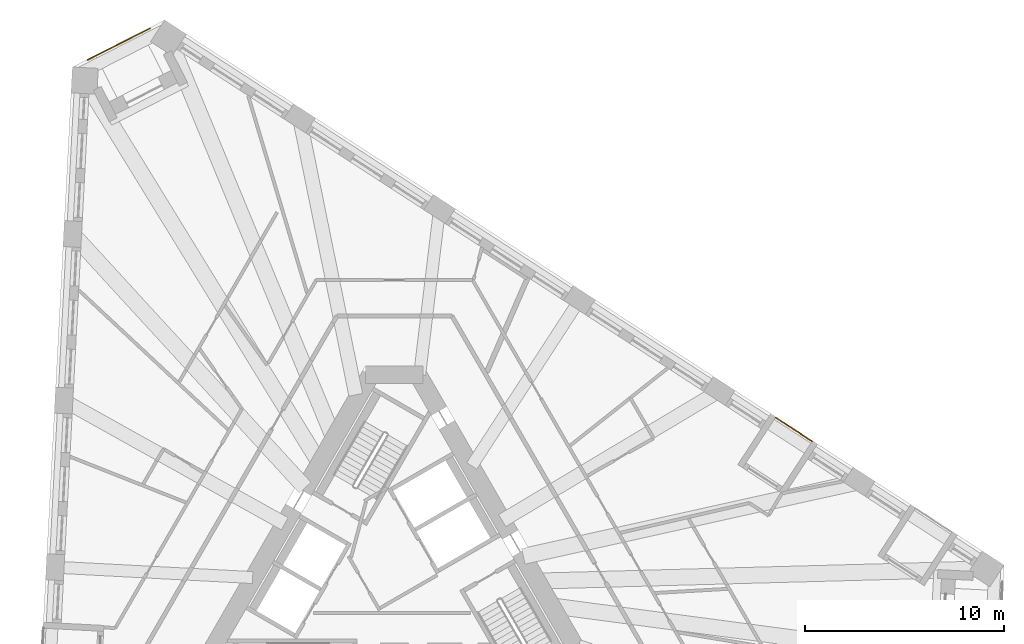
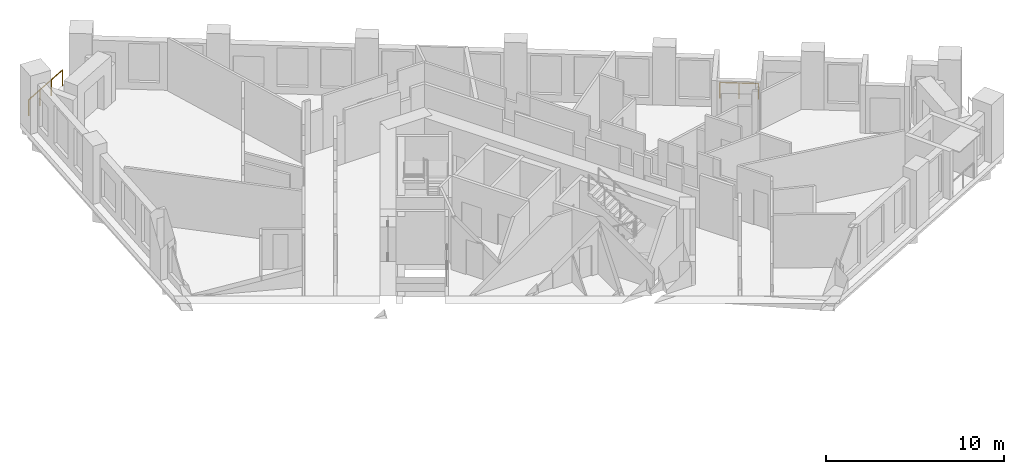
# One storey, part 13 of 13: 2 railings.
"""IFC4 building model written with IfcOpenShell, lengths in metres."""

from ifc_helpers import new_model, si_unit, direction, frame, origin, origin_2d, place, context, subcontext, project, spatial, circle, extrude, material, type_object, element, save


model = new_model("IFC4")

# Units and contexts
model_context = context("Model", 3, precision=1e-05, world=origin(), true_north=direction((0.0, 1.0)))
body_context = subcontext(model_context, "Body", "Model", "MODEL_VIEW")
ifc_project = project(units=[si_unit("LENGTHUNIT", "METRE"), si_unit("AREAUNIT", "SQUARE_METRE"), si_unit("VOLUMEUNIT", "CUBIC_METRE"), si_unit("PLANEANGLEUNIT", "RADIAN"), si_unit("MASSUNIT", "GRAM", prefix="KILO")], contexts=[model_context])

# Site, building, storey
site_placement = place(None, origin())
site = spatial("IfcSite", under=ifc_project, at=site_placement, CompositionType="ELEMENT")
building_placement = place(site_placement, origin())
building = spatial("IfcBuilding", under=site, at=building_placement, Name="Tramontana Tower", CompositionType="ELEMENT")
storey_placement = place(building_placement, frame((0.0, 0.0, 141.60009765625)))
storey = spatial("IfcBuildingStorey", under=building, at=storey_placement, Name="L32", CompositionType="ELEMENT", Elevation=141.60009765625)

# Railings
ifc_material = material(Name="Laminated glass balustrade", Category="glass")
railing_type = type_object("IfcRailingType", Name="GD1 Loggia glass balustrade 1100", PredefinedType="BALUSTRADE", material=ifc_material)
railing_1_placement = place(storey_placement, frame((20.96484375, 7.2158203125, 0.0)))
element("IfcRailing", 1, at=railing_1_placement, inside=storey, type_object=railing_type, Name="Loggia balustrade L32 G3S2.4", PredefinedType="BALUSTRADE", context=body_context, shape_type="SweptSolid", body=[
    extrude(circle(Radius=0.02392578125, at=origin_2d()), frame((0.0, 0.0, 1.076171875), z_axis=(-0.838659986147, 0.544655329209, 0.0), x_axis=(-0.544655329209, -0.838659986147, 0.0)), (0.0, 0.0, 1.0), 2.190673828125),
    extrude(circle(Radius=0.02099609375, at=origin_2d()), origin(), (0.0, 0.0, 1.0), 1.052001953125),
    extrude(circle(Radius=0.02099609375, at=origin_2d()), frame((-0.91845703125, 0.5966796875, 0.0)), (0.0, 0.0, 1.0), 1.052001953125),
    extrude(circle(Radius=0.02099609375, at=origin_2d()), frame((-1.837158203125, 1.193115234375, 0.0)), (0.0, 0.0, 1.0), 1.052001953125),
])
railing_2_placement = place(storey_placement, frame((-15.392333984375, 26.3544921875, 0.0)))
element("IfcRailing", 2, at=railing_2_placement, inside=storey, type_object=railing_type, Name="Corner loggia balustrade L32 K30", PredefinedType="BALUSTRADE", context=body_context, shape_type="SweptSolid", body=[
    extrude(circle(Radius=0.02392578125, at=origin_2d()), frame((0.0, 0.0, 1.076171875), z_axis=(0.891011280655, 0.453981164527, 0.0), x_axis=(-0.453981164527, 0.891011280655, 0.0)), (0.0, 0.0, 1.0), 3.499755859375),
    extrude(circle(Radius=0.02099609375, at=origin_2d()), origin(), (0.0, 0.0, 1.0), 1.052001953125),
    extrude(circle(Radius=0.02099609375, at=origin_2d()), frame((1.03955078125, 0.529541015625, 0.0)), (0.0, 0.0, 1.0), 1.052001953125),
    extrude(circle(Radius=0.02099609375, at=origin_2d()), frame((2.078857421875, 1.059326171875, 0.0)), (0.0, 0.0, 1.0), 1.052001953125),
    extrude(circle(Radius=0.02099609375, at=origin_2d()), frame((3.118408203125, 1.5888671875, 0.0)), (0.0, 0.0, 1.0), 1.052001953125),
])

save(model, "model.ifc")
